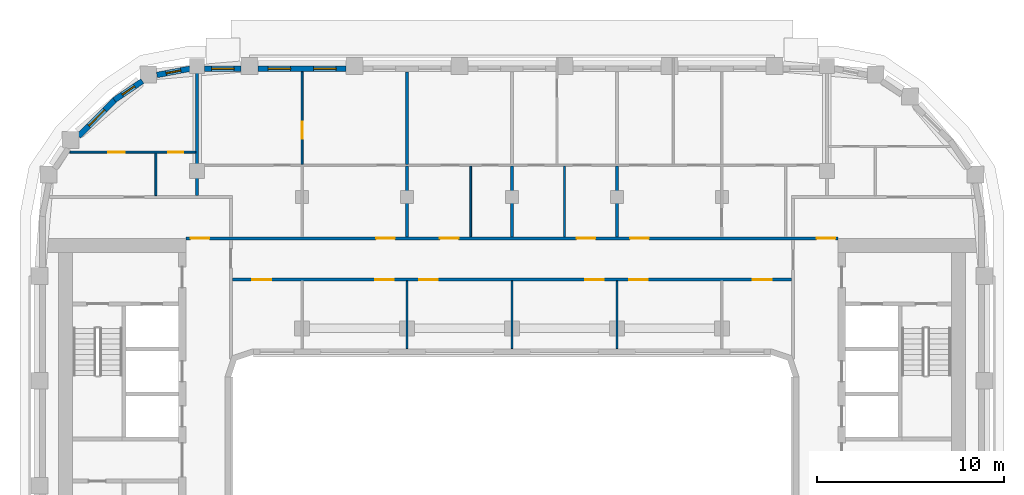
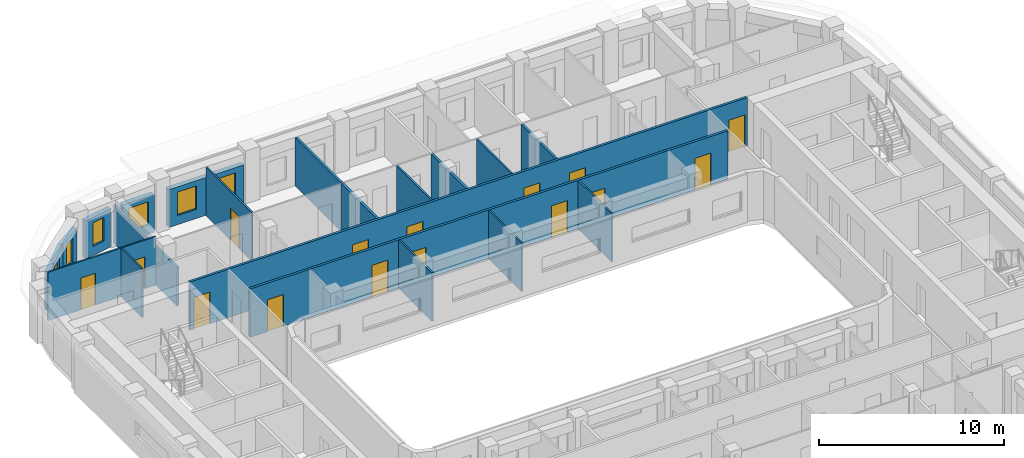
# One storey, part 7 of 21: 20 walls, 15 doors, 6 windows, 21 openings.
"""IFC4 building model written with IfcOpenShell, lengths in metres."""

from ifc_helpers import new_model, si_unit, direction, frame, frame_2d, origin, place, context, subcontext, project, spatial, rectangle, extrude, material, layer, layer_set, type_object, element, fill, save


model = new_model("IFC4")

# Units and contexts
model_context = context("Model", 3, precision=1e-05, world=origin(), true_north=direction((0.0, 1.0)))
body_context = subcontext(model_context, "Body", "Model", "MODEL_VIEW")
ifc_project = project(units=[si_unit("LENGTHUNIT", "METRE"), si_unit("AREAUNIT", "SQUARE_METRE"), si_unit("VOLUMEUNIT", "CUBIC_METRE"), si_unit("PLANEANGLEUNIT", "RADIAN"), si_unit("MASSUNIT", "GRAM", prefix="KILO")], contexts=[model_context])

# Site, building, storey
site_placement = place(None, origin())
site = spatial("IfcSite", under=ifc_project, at=site_placement, CompositionType="ELEMENT")
building_placement = place(site_placement, origin())
building = spatial("IfcBuilding", under=site, at=building_placement, Name="Kiln Ring Residences", CompositionType="ELEMENT")
storey_placement = place(building_placement, frame((0.0, 0.0, 195.89990234375)))
storey = spatial("IfcBuildingStorey", under=building, at=storey_placement, Name="L50", CompositionType="ELEMENT", Elevation=195.89990234375)

# Wall, openings, windows
ifc_material_1 = material(Name="Brick masonry, dark clay brick", Category="masonry")
ifc_layer_1 = layer(ifc_material_1, 0.300048828125)
ifc_layer_set_1 = layer_set([ifc_layer_1], Name="EW-300 BRICK WALL")
wall_type_1 = type_object("IfcWallType", Name="EW-300 BRICK WALL", PredefinedType="SOLIDWALL", material=ifc_layer_set_1)
wall_1_placement = place(storey_placement, frame((-8.85009765625, 22.25, 0.0), z_axis=(0.0, 0.0, 1.0), x_axis=(-1.0, 0.0, 0.0)))
wall_1 = element("IfcWall", 1, at=wall_1_placement, inside=storey, type_object=wall_type_1, Name="Facade wall L50 32", PredefinedType="SOLIDWALL", context=body_context, shape_type="SweptSolid", body=[
    extrude(rectangle(XDim=4.699951171875, YDim=0.300048828125, at=frame_2d((2.35009765625, 0.0))), origin(), (0.0, 0.0, 1.0), 2.5),
])
opening_1_placement = place(wall_1_placement, frame((0.53759765625, 0.0, 0.60009765625)))
opening_1 = element("IfcOpeningElement", 2, at=opening_1_placement, cuts=wall_1, Name="Opening W1", PredefinedType="OPENING", context=body_context, shape_type="SweptSolid", body=[
    extrude(rectangle(XDim=1.199951171875, YDim=1.550048828125, at=frame_2d((0.60009765625, 0.77490234375))), frame((0.0, 0.159912109375, 0.0), z_axis=(0.0, -1.0, 0.0), x_axis=(1.0, 0.0, 0.0)), (0.0, 0.0, 1.0), 0.320068359375),
])
opening_2_placement = place(wall_1_placement, frame((2.96240234375, 0.0, 0.60009765625)))
opening_2 = element("IfcOpeningElement", 3, at=opening_2_placement, cuts=wall_1, Name="Opening W1", PredefinedType="OPENING", context=body_context, shape_type="SweptSolid", body=[
    extrude(rectangle(XDim=1.199951171875, YDim=1.550048828125, at=frame_2d((0.60009765625, 0.77490234375))), frame((0.0, 0.159912109375, 0.0), z_axis=(0.0, -1.0, 0.0), x_axis=(1.0, 0.0, 0.0)), (0.0, 0.0, 1.0), 0.320068359375),
])
ifc_material_2 = material(Name="Aluminium frame with double glazing", Category="aluminium")
window_type_1 = type_object("IfcWindowType", Name="WINDOW 1200 x 1550", PartitioningType="SINGLE_PANEL", PredefinedType="WINDOW", material=ifc_material_2)
window_1_placement = place(opening_1_placement, origin())
window_1 = element("IfcWindow", 4, at=window_1_placement, inside=storey, type_object=window_type_1, Name="Window L50 29", OverallHeight=1.550048828125, OverallWidth=1.199951171875, PartitioningType="SINGLE_PANEL", PredefinedType="WINDOW", context=body_context, shape_type="SweptSolid", body=[
    extrude(rectangle(XDim=1.199951171875, YDim=1.550048828125, at=frame_2d((0.60009765625, 0.77490234375))), frame((0.0, 0.030029296875, 0.0), z_axis=(0.0, -1.0, 0.0), x_axis=(1.0, 0.0, 0.0)), (0.0, 0.0, 1.0), 0.06005859375),
])
fill(opening_1, window_1)
window_2_placement = place(opening_2_placement, origin())
window_2 = element("IfcWindow", 5, at=window_2_placement, inside=storey, type_object=window_type_1, Name="Window L50 30", OverallHeight=1.550048828125, OverallWidth=1.199951171875, PartitioningType="SINGLE_PANEL", PredefinedType="WINDOW", context=body_context, shape_type="SweptSolid", body=[
    extrude(rectangle(XDim=1.199951171875, YDim=1.550048828125, at=frame_2d((0.60009765625, 0.77490234375))), frame((0.0, 0.030029296875, 0.0), z_axis=(0.0, -1.0, 0.0), x_axis=(1.0, 0.0, 0.0)), (0.0, 0.0, 1.0), 0.06005859375),
])
fill(opening_2, window_2)

# Wall, opening, window
wall_2_placement = place(storey_placement, frame((-14.449951171875, 22.25, 0.0), z_axis=(0.0, 0.0, 1.0), x_axis=(-1.0, 0.0, 0.0)))
wall_2 = element("IfcWall", 6, at=wall_2_placement, inside=storey, type_object=wall_type_1, Name="Facade wall L50 33", PredefinedType="SOLIDWALL", context=body_context, shape_type="SweptSolid", body=[
    extrude(rectangle(XDim=1.949951171875, YDim=0.300048828125, at=frame_2d((0.97509765625, 0.0))), origin(), (0.0, 0.0, 1.0), 2.5),
])
opening_3_placement = place(wall_2_placement, frame((0.375, 0.0, 0.60009765625)))
opening_3 = element("IfcOpeningElement", 7, at=opening_3_placement, cuts=wall_2, Name="Opening W1", PredefinedType="OPENING", context=body_context, shape_type="SweptSolid", body=[
    extrude(rectangle(XDim=1.199951171875, YDim=1.550048828125, at=frame_2d((0.60009765625, 0.77490234375))), frame((0.0, 0.159912109375, 0.0), z_axis=(0.0, -1.0, 0.0), x_axis=(1.0, 0.0, 0.0)), (0.0, 0.0, 1.0), 0.320068359375),
])
window_3_placement = place(opening_3_placement, origin())
window_3 = element("IfcWindow", 8, at=window_3_placement, inside=storey, type_object=window_type_1, Name="Window L50 31", OverallHeight=1.550048828125, OverallWidth=1.199951171875, PartitioningType="SINGLE_PANEL", PredefinedType="WINDOW", context=body_context, shape_type="SweptSolid", body=[
    extrude(rectangle(XDim=1.199951171875, YDim=1.550048828125, at=frame_2d((0.60009765625, 0.77490234375))), frame((0.0, 0.030029296875, 0.0), z_axis=(0.0, -1.0, 0.0), x_axis=(1.0, 0.0, 0.0)), (0.0, 0.0, 1.0), 0.06005859375),
])
fill(opening_3, window_3)

wall_3_placement = place(storey_placement, frame((-17.178955078125, 22.251220703125, 0.0), z_axis=(0.0, 0.0, 1.0), x_axis=(-0.98230529033, -0.187286722942, 0.0)))
wall_3 = element("IfcWall", 9, at=wall_3_placement, inside=storey, type_object=wall_type_1, Name="Facade wall L50 34", PredefinedType="SOLIDWALL", context=body_context, shape_type="SweptSolid", body=[
    extrude(rectangle(XDim=1.798828125, YDim=0.300048828125, at=frame_2d((0.8994140625, 0.0))), origin(), (0.0, 0.0, 1.0), 2.5),
])
opening_4_placement = place(wall_3_placement, frame((0.49951171875, 0.0, 0.60009765625)))
opening_4 = element("IfcOpeningElement", 10, at=opening_4_placement, cuts=wall_3, Name="Opening W5", PredefinedType="OPENING", context=body_context, shape_type="SweptSolid", body=[
    extrude(rectangle(XDim=0.800048828125, YDim=1.550048828125, at=frame_2d((0.39990234375, 0.77490234375))), frame((0.0, 0.159912109375, 0.0), z_axis=(0.0, -1.0, 0.0), x_axis=(1.0, 0.0, 0.0)), (0.0, 0.0, 1.0), 0.320068359375),
])
ifc_material_3 = material(Name="Aluminium frame with double glazing", Category="aluminium")
window_type_2 = type_object("IfcWindowType", Name="WINDOW 800 x 1550", PartitioningType="SINGLE_PANEL", PredefinedType="WINDOW", material=ifc_material_3)
window_4_placement = place(opening_4_placement, origin())
window_4 = element("IfcWindow", 11, at=window_4_placement, inside=storey, type_object=window_type_2, Name="Window L50 32", OverallHeight=1.550048828125, OverallWidth=0.800048828125, PartitioningType="SINGLE_PANEL", PredefinedType="WINDOW", context=body_context, shape_type="SweptSolid", body=[
    extrude(rectangle(XDim=0.800048828125, YDim=1.550048828125, at=frame_2d((0.39990234375, 0.77490234375))), frame((0.0, 0.030029296875, 0.0), z_axis=(0.0, -1.0, 0.0), x_axis=(1.0, 0.0, 0.0)), (0.0, 0.0, 1.0), 0.06005859375),
])
fill(opening_4, window_4)

wall_4_placement = place(storey_placement, frame((-19.718994140625, 21.593994140625, 0.0), z_axis=(0.0, 0.0, 1.0), x_axis=(-0.827067282455, -0.562102935673, 0.0)))
wall_4 = element("IfcWall", 12, at=wall_4_placement, inside=storey, type_object=wall_type_1, Name="Facade wall L50 35", PredefinedType="SOLIDWALL", context=body_context, shape_type="SweptSolid", body=[
    extrude(rectangle(XDim=1.805908203125, YDim=0.300048828125, at=frame_2d((0.90283203125, 0.0))), origin(), (0.0, 0.0, 1.0), 2.5),
])
opening_5_placement = place(wall_4_placement, frame((0.5029296875, 0.0, 0.60009765625)))
opening_5 = element("IfcOpeningElement", 13, at=opening_5_placement, cuts=wall_4, Name="Opening W5", PredefinedType="OPENING", context=body_context, shape_type="SweptSolid", body=[
    extrude(rectangle(XDim=0.800048828125, YDim=1.550048828125, at=frame_2d((0.39990234375, 0.77490234375))), frame((0.0, 0.159912109375, 0.0), z_axis=(0.0, -1.0, 0.0), x_axis=(1.0, 0.0, 0.0)), (0.0, 0.0, 1.0), 0.320068359375),
])
window_5_placement = place(opening_5_placement, origin())
window_5 = element("IfcWindow", 14, at=window_5_placement, inside=storey, type_object=window_type_2, Name="Window L50 33", OverallHeight=1.550048828125, OverallWidth=0.800048828125, PartitioningType="SINGLE_PANEL", PredefinedType="WINDOW", context=body_context, shape_type="SweptSolid", body=[
    extrude(rectangle(XDim=0.800048828125, YDim=1.550048828125, at=frame_2d((0.39990234375, 0.77490234375))), frame((0.0, 0.030029296875, 0.0), z_axis=(0.0, -1.0, 0.0), x_axis=(1.0, 0.0, 0.0)), (0.0, 0.0, 1.0), 0.06005859375),
])
fill(opening_5, window_5)

wall_5_placement = place(storey_placement, frame((-21.19091796875, 20.596923828125, 0.0), z_axis=(0.0, 0.0, 1.0), x_axis=(-0.707106781187, -0.707106781187, 0.0)))
wall_5 = element("IfcWall", 15, at=wall_5_placement, inside=storey, type_object=wall_type_1, Name="Facade wall L50 36", PredefinedType="SOLIDWALL", context=body_context, shape_type="SweptSolid", body=[
    extrude(rectangle(XDim=2.75, YDim=0.300048828125, at=frame_2d((1.375, 0.0))), origin(), (0.0, 0.0, 1.0), 2.5),
])
opening_6_placement = place(wall_5_placement, frame((0.77490234375, 0.0, 0.60009765625)))
opening_6 = element("IfcOpeningElement", 16, at=opening_6_placement, cuts=wall_5, Name="Opening W1", PredefinedType="OPENING", context=body_context, shape_type="SweptSolid", body=[
    extrude(rectangle(XDim=1.199951171875, YDim=1.550048828125, at=frame_2d((0.60009765625, 0.77490234375))), frame((0.0, 0.159912109375, 0.0), z_axis=(0.0, -1.0, 0.0), x_axis=(1.0, 0.0, 0.0)), (0.0, 0.0, 1.0), 0.320068359375),
])
window_6_placement = place(opening_6_placement, origin())
window_6 = element("IfcWindow", 17, at=window_6_placement, inside=storey, type_object=window_type_1, Name="Window L50 34", OverallHeight=1.550048828125, OverallWidth=1.199951171875, PartitioningType="SINGLE_PANEL", PredefinedType="WINDOW", context=body_context, shape_type="SweptSolid", body=[
    extrude(rectangle(XDim=1.199951171875, YDim=1.550048828125, at=frame_2d((0.60009765625, 0.77490234375))), frame((0.0, 0.030029296875, 0.0), z_axis=(0.0, -1.0, 0.0), x_axis=(1.0, 0.0, 0.0)), (0.0, 0.0, 1.0), 0.06005859375),
])
fill(opening_6, window_6)

# Wall, openings, doors
ifc_material_4 = material(Name="Gypsum board on steel studs", Category="steel")
ifc_layer_2 = layer(ifc_material_4, 0.10009765625)
ifc_layer_set_2 = layer_set([ifc_layer_2], Name="PARTITION-100")
wall_type_2 = type_object("IfcWallType", Name="PARTITION-100", PredefinedType="PARTITIONING", material=ifc_layer_set_2)
wall_6_placement = place(storey_placement, frame((-23.593994140625, 17.800048828125, 0.0), z_axis=(0.0, 0.0, 1.0), x_axis=(1.0, 0.0, 0.0)))
wall_6 = element("IfcWall", 18, at=wall_6_placement, inside=storey, type_object=wall_type_2, Name="Partition 012", PredefinedType="PARTITIONING", context=body_context, shape_type="SweptSolid", body=[
    extrude(rectangle(XDim=6.718994140625, YDim=0.10009765625, at=frame_2d((3.359375, 0.0))), origin(), (0.0, 0.0, 1.0), 3.2001953125),
])
opening_7_placement = place(wall_6_placement, frame((5.243896484375, 0.0, 0.0)))
opening_7 = element("IfcOpeningElement", 19, at=opening_7_placement, cuts=wall_6, Name="Opening L50-D036", PredefinedType="OPENING", context=body_context, shape_type="SweptSolid", body=[
    extrude(rectangle(XDim=0.800048828125, YDim=2.10009765625, at=frame_2d((0.39990234375, 1.050048828125))), frame((0.0, 0.06005859375, 0.0), z_axis=(0.0, -1.0, 0.0), x_axis=(1.0, 0.0, 0.0)), (0.0, 0.0, 1.0), 0.1201171875),
])
opening_8_placement = place(wall_6_placement, frame((2.0439453125, 0.0, 0.0)))
opening_8 = element("IfcOpeningElement", 20, at=opening_8_placement, cuts=wall_6, Name="Opening L50-D037", PredefinedType="OPENING", context=body_context, shape_type="SweptSolid", body=[
    extrude(rectangle(XDim=0.89990234375, YDim=2.10009765625, at=frame_2d((0.449951171875, 1.050048828125))), frame((0.0, 0.06005859375, 0.0), z_axis=(0.0, -1.0, 0.0), x_axis=(1.0, 0.0, 0.0)), (0.0, 0.0, 1.0), 0.1201171875),
])
ifc_material_5 = material(Name="Timber door leaf", Category="wood")
door_type_1 = type_object("IfcDoorType", Name="FLAT-DOOR-800-PL", OperationType="SINGLE_SWING_LEFT", PredefinedType="DOOR", material=ifc_material_5)
door_1_placement = place(opening_7_placement, origin())
door_1 = element("IfcDoor", 21, at=door_1_placement, inside=storey, type_object=door_type_1, Name="Door L50-D036", OperationType="SINGLE_SWING_RIGHT", OverallHeight=2.10009765625, OverallWidth=0.800048828125, PredefinedType="DOOR", context=body_context, shape_type="SweptSolid", body=[
    extrude(rectangle(XDim=0.800048828125, YDim=2.10009765625, at=frame_2d((0.39990234375, 1.050048828125))), frame((0.0, 0.02490234375, 0.0), z_axis=(0.0, -1.0, 0.0), x_axis=(1.0, 0.0, 0.0)), (0.0, 0.0, 1.0), 0.050048828125),
])
fill(opening_7, door_1)
ifc_material_6 = material(Name="Timber door leaf", Category="wood")
door_type_2 = type_object("IfcDoorType", Name="FLAT-DOOR-900-PL", OperationType="SINGLE_SWING_LEFT", PredefinedType="DOOR", material=ifc_material_6)
door_2_placement = place(opening_8_placement, origin())
door_2 = element("IfcDoor", 22, at=door_2_placement, inside=storey, type_object=door_type_2, Name="Door L50-D037", OperationType="SINGLE_SWING_LEFT", OverallHeight=2.10009765625, OverallWidth=0.89990234375, PredefinedType="DOOR", context=body_context, shape_type="SweptSolid", body=[
    extrude(rectangle(XDim=0.89990234375, YDim=2.10009765625, at=frame_2d((0.449951171875, 1.050048828125))), frame((0.0, 0.02490234375, 0.0), z_axis=(0.0, -1.0, 0.0), x_axis=(1.0, 0.0, 0.0)), (0.0, 0.0, 1.0), 0.050048828125),
])
fill(opening_8, door_2)

# Wall
wall_7_placement = place(storey_placement, frame((-19.0, 15.47509765625, 0.0), z_axis=(0.0, 0.0, 1.0), x_axis=(0.0, 1.0, 0.0)))
element("IfcWall", 23, at=wall_7_placement, inside=storey, type_object=wall_type_2, Name="Partition 015", PredefinedType="PARTITIONING", context=body_context, shape_type="SweptSolid", body=[
    extrude(rectangle(XDim=2.27490234375, YDim=0.10009765625, at=frame_2d((1.137451171875, 0.0))), origin(), (0.0, 0.0, 1.0), 3.2001953125),
])

# Wall, opening, door
wall_8_placement = place(storey_placement, frame((-11.199951171875, 17.14990234375, 0.0), z_axis=(0.0, 0.0, 1.0), x_axis=(0.0, 1.0, 0.0)))
wall_8 = element("IfcWall", 24, at=wall_8_placement, inside=storey, type_object=wall_type_2, Name="Partition 027", PredefinedType="PARTITIONING", context=body_context, shape_type="SweptSolid", body=[
    extrude(rectangle(XDim=4.93017578125, YDim=0.10009765625, at=frame_2d((2.465087890625, 0.0))), origin(), (0.0, 0.0, 1.0), 3.2001953125),
])
opening_9_placement = place(wall_8_placement, frame((1.360107421875, 0.0, 0.0)))
opening_9 = element("IfcOpeningElement", 25, at=opening_9_placement, cuts=wall_8, Name="Opening L50-D018", PredefinedType="OPENING", context=body_context, shape_type="SweptSolid", body=[
    extrude(rectangle(XDim=0.89990234375, YDim=2.10009765625, at=frame_2d((0.449951171875, 1.050048828125))), frame((0.0, 0.06005859375, 0.0), z_axis=(0.0, -1.0, 0.0), x_axis=(1.0, 0.0, 0.0)), (0.0, 0.0, 1.0), 0.1201171875),
])
door_3_placement = place(opening_9_placement, origin())
door_3 = element("IfcDoor", 26, at=door_3_placement, inside=storey, type_object=door_type_2, Name="Door L50-D018", OperationType="SINGLE_SWING_RIGHT", OverallHeight=2.10009765625, OverallWidth=0.89990234375, PredefinedType="DOOR", context=body_context, shape_type="SweptSolid", body=[
    extrude(rectangle(XDim=0.89990234375, YDim=2.10009765625, at=frame_2d((0.449951171875, 1.050048828125))), frame((0.0, 0.02490234375, 0.0), z_axis=(0.0, -1.0, 0.0), x_axis=(1.0, 0.0, 0.0)), (0.0, 0.0, 1.0), 0.050048828125),
])
fill(opening_9, door_3)

# Walls
wall_9_placement = place(storey_placement, frame((-5.60009765625, 7.320068359375, 0.0), z_axis=(0.0, 0.0, 1.0), x_axis=(0.0, 1.0, 0.0)))
element("IfcWall", 27, at=wall_9_placement, inside=storey, type_object=wall_type_2, Name="Partition 033", PredefinedType="PARTITIONING", context=body_context, shape_type="SweptSolid", body=[
    extrude(rectangle(XDim=3.60498046875, YDim=0.10009765625, at=frame_2d((1.802490234375, 0.0))), origin(), (0.0, 0.0, 1.0), 3.2001953125),
])
wall_10_placement = place(storey_placement, frame((-2.199951171875, 13.27490234375, 0.0), z_axis=(0.0, 0.0, 1.0), x_axis=(0.0, 1.0, 0.0)))
element("IfcWall", 28, at=wall_10_placement, inside=storey, type_object=wall_type_2, Name="Partition 037", PredefinedType="PARTITIONING", context=body_context, shape_type="SweptSolid", body=[
    extrude(rectangle(XDim=3.775146484375, YDim=0.10009765625, at=frame_2d((1.8876953125, 0.0))), origin(), (0.0, 0.0, 1.0), 3.2001953125),
])
wall_11_placement = place(storey_placement, frame((0.0, 7.320068359375, 0.0), z_axis=(0.0, 0.0, 1.0), x_axis=(0.0, 1.0, 0.0)))
element("IfcWall", 29, at=wall_11_placement, inside=storey, type_object=wall_type_2, Name="Partition 039", PredefinedType="PARTITIONING", context=body_context, shape_type="SweptSolid", body=[
    extrude(rectangle(XDim=3.60498046875, YDim=0.10009765625, at=frame_2d((1.802490234375, 0.0))), origin(), (0.0, 0.0, 1.0), 3.2001953125),
])
wall_12_placement = place(storey_placement, frame((2.800048828125, 13.27490234375, 0.0), z_axis=(0.0, 0.0, 1.0), x_axis=(0.0, 1.0, 0.0)))
element("IfcWall", 30, at=wall_12_placement, inside=storey, type_object=wall_type_2, Name="Partition 045", PredefinedType="PARTITIONING", context=body_context, shape_type="SweptSolid", body=[
    extrude(rectangle(XDim=3.775146484375, YDim=0.10009765625, at=frame_2d((1.8876953125, 0.0))), origin(), (0.0, 0.0, 1.0), 3.2001953125),
])
wall_13_placement = place(storey_placement, frame((5.60009765625, 7.320068359375, 0.0), z_axis=(0.0, 0.0, 1.0), x_axis=(0.0, 1.0, 0.0)))
element("IfcWall", 31, at=wall_13_placement, inside=storey, type_object=wall_type_2, Name="Partition 049", PredefinedType="PARTITIONING", context=body_context, shape_type="SweptSolid", body=[
    extrude(rectangle(XDim=3.60498046875, YDim=0.10009765625, at=frame_2d((1.802490234375, 0.0))), origin(), (0.0, 0.0, 1.0), 3.2001953125),
])

# Wall, openings, doors
ifc_material_7 = material(Name="Brick masonry partition", Category="masonry")
ifc_layer_3 = layer(ifc_material_7, 0.14990234375)
ifc_layer_set_3 = layer_set([ifc_layer_3], Name="PARTITION-150-ei60")
wall_type_3 = type_object("IfcWallType", Name="PARTITION-150-ei60", PredefinedType="PARTITIONING", material=ifc_layer_set_3)
wall_14_placement = place(storey_placement, frame((-14.925048828125, 11.0, 0.0), z_axis=(0.0, 0.0, 1.0), x_axis=(1.0, 0.0, 0.0)))
wall_14 = element("IfcWall", 32, at=wall_14_placement, inside=storey, type_object=wall_type_3, Name="Partition 007", PredefinedType="PARTITIONING", context=body_context, shape_type="SweptSolid", body=[
    extrude(rectangle(XDim=29.85009765625, YDim=0.14990234375, at=frame_2d((14.925048828125, 0.0))), origin(), (0.0, 0.0, 1.0), 3.2001953125),
])
opening_10_placement = place(wall_14_placement, frame((1.075927734375, 0.0, 0.0)))
opening_10 = element("IfcOpeningElement", 33, at=opening_10_placement, cuts=wall_14, Name="Opening L50-D009", PredefinedType="OPENING", context=body_context, shape_type="SweptSolid", body=[
    extrude(rectangle(XDim=1.0, YDim=2.10009765625, at=frame_2d((0.5, 1.050048828125))), frame((0.0, 0.0849609375, 0.0), z_axis=(0.0, -1.0, 0.0), x_axis=(1.0, 0.0, 0.0)), (0.0, 0.0, 1.0), 0.169921875),
])
opening_11_placement = place(wall_14_placement, frame((7.625, 0.0, 0.0)))
opening_11 = element("IfcOpeningElement", 34, at=opening_11_placement, cuts=wall_14, Name="Opening L50-D010", PredefinedType="OPENING", context=body_context, shape_type="SweptSolid", body=[
    extrude(rectangle(XDim=1.0, YDim=2.10009765625, at=frame_2d((0.5, 1.050048828125))), frame((0.0, 0.0849609375, 0.0), z_axis=(0.0, -1.0, 0.0), x_axis=(1.0, 0.0, 0.0)), (0.0, 0.0, 1.0), 0.169921875),
])
opening_12_placement = place(wall_14_placement, frame((9.97509765625, 0.0, 0.0)))
opening_12 = element("IfcOpeningElement", 35, at=opening_12_placement, cuts=wall_14, Name="Opening L50-D011", PredefinedType="OPENING", context=body_context, shape_type="SweptSolid", body=[
    extrude(rectangle(XDim=1.0, YDim=2.10009765625, at=frame_2d((0.5, 1.050048828125))), frame((0.0, 0.0849609375, 0.0), z_axis=(0.0, -1.0, 0.0), x_axis=(1.0, 0.0, 0.0)), (0.0, 0.0, 1.0), 0.169921875),
])
opening_13_placement = place(wall_14_placement, frame((18.824951171875, 0.0, 0.0)))
opening_13 = element("IfcOpeningElement", 36, at=opening_13_placement, cuts=wall_14, Name="Opening L50-D012", PredefinedType="OPENING", context=body_context, shape_type="SweptSolid", body=[
    extrude(rectangle(XDim=1.0, YDim=2.10009765625, at=frame_2d((0.5, 1.050048828125))), frame((0.0, 0.0849609375, 0.0), z_axis=(0.0, -1.0, 0.0), x_axis=(1.0, 0.0, 0.0)), (0.0, 0.0, 1.0), 0.169921875),
])
opening_14_placement = place(wall_14_placement, frame((21.175048828125, 0.0, 0.0)))
opening_14 = element("IfcOpeningElement", 37, at=opening_14_placement, cuts=wall_14, Name="Opening L50-D013", PredefinedType="OPENING", context=body_context, shape_type="SweptSolid", body=[
    extrude(rectangle(XDim=1.0, YDim=2.10009765625, at=frame_2d((0.5, 1.050048828125))), frame((0.0, 0.0849609375, 0.0), z_axis=(0.0, -1.0, 0.0), x_axis=(1.0, 0.0, 0.0)), (0.0, 0.0, 1.0), 0.169921875),
])
opening_15_placement = place(wall_14_placement, frame((27.77490234375, 0.0, 0.0)))
opening_15 = element("IfcOpeningElement", 38, at=opening_15_placement, cuts=wall_14, Name="Opening L50-D014", PredefinedType="OPENING", context=body_context, shape_type="SweptSolid", body=[
    extrude(rectangle(XDim=1.0, YDim=2.10009765625, at=frame_2d((0.5, 1.050048828125))), frame((0.0, 0.0849609375, 0.0), z_axis=(0.0, -1.0, 0.0), x_axis=(1.0, 0.0, 0.0)), (0.0, 0.0, 1.0), 0.169921875),
])
ifc_material_8 = material(Name="Steel faced fire door leaf", Category="steel")
door_type_3 = type_object("IfcDoorType", Name="FLAT-DOOR-1000-FR", OperationType="SINGLE_SWING_LEFT", PredefinedType="DOOR", material=ifc_material_8)
door_4_placement = place(opening_10_placement, origin())
door_4 = element("IfcDoor", 39, at=door_4_placement, inside=storey, type_object=door_type_3, Name="Door L50-D009", OperationType="SINGLE_SWING_LEFT", OverallHeight=2.10009765625, OverallWidth=1.0, PredefinedType="DOOR", context=body_context, shape_type="SweptSolid", body=[
    extrude(rectangle(XDim=1.0, YDim=2.10009765625, at=frame_2d((0.5, 1.050048828125))), frame((0.0, 0.02490234375, 0.0), z_axis=(0.0, -1.0, 0.0), x_axis=(1.0, 0.0, 0.0)), (0.0, 0.0, 1.0), 0.050048828125),
])
fill(opening_10, door_4)
door_5_placement = place(opening_11_placement, origin())
door_5 = element("IfcDoor", 40, at=door_5_placement, inside=storey, type_object=door_type_3, Name="Door L50-D010", OperationType="SINGLE_SWING_RIGHT", OverallHeight=2.10009765625, OverallWidth=1.0, PredefinedType="DOOR", context=body_context, shape_type="SweptSolid", body=[
    extrude(rectangle(XDim=1.0, YDim=2.10009765625, at=frame_2d((0.5, 1.050048828125))), frame((0.0, 0.02490234375, 0.0), z_axis=(0.0, -1.0, 0.0), x_axis=(1.0, 0.0, 0.0)), (0.0, 0.0, 1.0), 0.050048828125),
])
fill(opening_11, door_5)
door_6_placement = place(opening_12_placement, origin())
door_6 = element("IfcDoor", 41, at=door_6_placement, inside=storey, type_object=door_type_3, Name="Door L50-D011", OperationType="SINGLE_SWING_LEFT", OverallHeight=2.10009765625, OverallWidth=1.0, PredefinedType="DOOR", context=body_context, shape_type="SweptSolid", body=[
    extrude(rectangle(XDim=1.0, YDim=2.10009765625, at=frame_2d((0.5, 1.050048828125))), frame((0.0, 0.02490234375, 0.0), z_axis=(0.0, -1.0, 0.0), x_axis=(1.0, 0.0, 0.0)), (0.0, 0.0, 1.0), 0.050048828125),
])
fill(opening_12, door_6)
door_7_placement = place(opening_13_placement, origin())
door_7 = element("IfcDoor", 42, at=door_7_placement, inside=storey, type_object=door_type_3, Name="Door L50-D012", OperationType="SINGLE_SWING_RIGHT", OverallHeight=2.10009765625, OverallWidth=1.0, PredefinedType="DOOR", context=body_context, shape_type="SweptSolid", body=[
    extrude(rectangle(XDim=1.0, YDim=2.10009765625, at=frame_2d((0.5, 1.050048828125))), frame((0.0, 0.02490234375, 0.0), z_axis=(0.0, -1.0, 0.0), x_axis=(1.0, 0.0, 0.0)), (0.0, 0.0, 1.0), 0.050048828125),
])
fill(opening_13, door_7)
door_8_placement = place(opening_14_placement, origin())
door_8 = element("IfcDoor", 43, at=door_8_placement, inside=storey, type_object=door_type_3, Name="Door L50-D013", OperationType="SINGLE_SWING_LEFT", OverallHeight=2.10009765625, OverallWidth=1.0, PredefinedType="DOOR", context=body_context, shape_type="SweptSolid", body=[
    extrude(rectangle(XDim=1.0, YDim=2.10009765625, at=frame_2d((0.5, 1.050048828125))), frame((0.0, 0.02490234375, 0.0), z_axis=(0.0, -1.0, 0.0), x_axis=(1.0, 0.0, 0.0)), (0.0, 0.0, 1.0), 0.050048828125),
])
fill(opening_14, door_8)
door_9_placement = place(opening_15_placement, origin())
door_9 = element("IfcDoor", 44, at=door_9_placement, inside=storey, type_object=door_type_3, Name="Door L50-D014", OperationType="SINGLE_SWING_RIGHT", OverallHeight=2.10009765625, OverallWidth=1.0, PredefinedType="DOOR", context=body_context, shape_type="SweptSolid", body=[
    extrude(rectangle(XDim=1.0, YDim=2.10009765625, at=frame_2d((0.5, 1.050048828125))), frame((0.0, 0.02490234375, 0.0), z_axis=(0.0, -1.0, 0.0), x_axis=(1.0, 0.0, 0.0)), (0.0, 0.0, 1.0), 0.050048828125),
])
fill(opening_15, door_9)

wall_15_placement = place(storey_placement, frame((-17.39990234375, 13.199951171875, 0.0), z_axis=(0.0, 0.0, 1.0), x_axis=(1.0, 0.0, 0.0)))
wall_15 = element("IfcWall", 45, at=wall_15_placement, inside=storey, type_object=wall_type_3, Name="Partition 008", PredefinedType="PARTITIONING", context=body_context, shape_type="SweptSolid", body=[
    extrude(rectangle(XDim=34.7998046875, YDim=0.14990234375, at=frame_2d((17.39990234375, 0.0))), origin(), (0.0, 0.0, 1.0), 3.2001953125),
])
opening_16_placement = place(wall_15_placement, frame((0.25, 0.0, 0.0)))
opening_16 = element("IfcOpeningElement", 46, at=opening_16_placement, cuts=wall_15, Name="Opening L50-D003", PredefinedType="OPENING", context=body_context, shape_type="SweptSolid", body=[
    extrude(rectangle(XDim=1.0, YDim=2.10009765625, at=frame_2d((0.5, 1.050048828125))), frame((0.0, 0.0849609375, 0.0), z_axis=(0.0, -1.0, 0.0), x_axis=(1.0, 0.0, 0.0)), (0.0, 0.0, 1.0), 0.169921875),
])
opening_17_placement = place(wall_15_placement, frame((33.64990234375, 0.0, 0.0)))
opening_17 = element("IfcOpeningElement", 47, at=opening_17_placement, cuts=wall_15, Name="Opening L50-D004", PredefinedType="OPENING", context=body_context, shape_type="SweptSolid", body=[
    extrude(rectangle(XDim=1.0, YDim=2.10009765625, at=frame_2d((0.5, 1.050048828125))), frame((0.0, 0.0849609375, 0.0), z_axis=(0.0, -1.0, 0.0), x_axis=(1.0, 0.0, 0.0)), (0.0, 0.0, 1.0), 0.169921875),
])
opening_18_placement = place(wall_15_placement, frame((10.14990234375, 0.0, 0.0)))
opening_18 = element("IfcOpeningElement", 48, at=opening_18_placement, cuts=wall_15, Name="Opening L50-D015", PredefinedType="OPENING", context=body_context, shape_type="SweptSolid", body=[
    extrude(rectangle(XDim=1.0, YDim=2.10009765625, at=frame_2d((0.5, 1.050048828125))), frame((0.0, 0.0849609375, 0.0), z_axis=(0.0, -1.0, 0.0), x_axis=(1.0, 0.0, 0.0)), (0.0, 0.0, 1.0), 0.169921875),
])
opening_19_placement = place(wall_15_placement, frame((13.550048828125, 0.0, 0.0)))
opening_19 = element("IfcOpeningElement", 49, at=opening_19_placement, cuts=wall_15, Name="Opening L50-D019", PredefinedType="OPENING", context=body_context, shape_type="SweptSolid", body=[
    extrude(rectangle(XDim=1.0, YDim=2.10009765625, at=frame_2d((0.5, 1.050048828125))), frame((0.0, 0.0849609375, 0.0), z_axis=(0.0, -1.0, 0.0), x_axis=(1.0, 0.0, 0.0)), (0.0, 0.0, 1.0), 0.169921875),
])
opening_20_placement = place(wall_15_placement, frame((20.85009765625, 0.0, 0.0)))
opening_20 = element("IfcOpeningElement", 50, at=opening_20_placement, cuts=wall_15, Name="Opening L50-D022", PredefinedType="OPENING", context=body_context, shape_type="SweptSolid", body=[
    extrude(rectangle(XDim=1.0, YDim=2.10009765625, at=frame_2d((0.5, 1.050048828125))), frame((0.0, 0.0849609375, 0.0), z_axis=(0.0, -1.0, 0.0), x_axis=(1.0, 0.0, 0.0)), (0.0, 0.0, 1.0), 0.169921875),
])
opening_21_placement = place(wall_15_placement, frame((23.699951171875, 0.0, 0.0)))
opening_21 = element("IfcOpeningElement", 51, at=opening_21_placement, cuts=wall_15, Name="Opening L50-D026", PredefinedType="OPENING", context=body_context, shape_type="SweptSolid", body=[
    extrude(rectangle(XDim=1.0, YDim=2.10009765625, at=frame_2d((0.5, 1.050048828125))), frame((0.0, 0.0849609375, 0.0), z_axis=(0.0, -1.0, 0.0), x_axis=(1.0, 0.0, 0.0)), (0.0, 0.0, 1.0), 0.169921875),
])
door_10_placement = place(opening_16_placement, origin())
door_10 = element("IfcDoor", 52, at=door_10_placement, inside=storey, type_object=door_type_3, Name="Door L50-D003", OperationType="SINGLE_SWING_LEFT", OverallHeight=2.10009765625, OverallWidth=1.0, PredefinedType="DOOR", context=body_context, shape_type="SweptSolid", body=[
    extrude(rectangle(XDim=1.0, YDim=2.10009765625, at=frame_2d((0.5, 1.050048828125))), frame((0.0, 0.02490234375, 0.0), z_axis=(0.0, -1.0, 0.0), x_axis=(1.0, 0.0, 0.0)), (0.0, 0.0, 1.0), 0.050048828125),
])
fill(opening_16, door_10)
door_11_placement = place(opening_17_placement, origin())
door_11 = element("IfcDoor", 53, at=door_11_placement, inside=storey, type_object=door_type_3, Name="Door L50-D004", OperationType="SINGLE_SWING_RIGHT", OverallHeight=2.10009765625, OverallWidth=1.0, PredefinedType="DOOR", context=body_context, shape_type="SweptSolid", body=[
    extrude(rectangle(XDim=1.0, YDim=2.10009765625, at=frame_2d((0.5, 1.050048828125))), frame((0.0, 0.02490234375, 0.0), z_axis=(0.0, -1.0, 0.0), x_axis=(1.0, 0.0, 0.0)), (0.0, 0.0, 1.0), 0.050048828125),
])
fill(opening_17, door_11)
door_12_placement = place(opening_18_placement, origin())
door_12 = element("IfcDoor", 54, at=door_12_placement, inside=storey, type_object=door_type_3, Name="Door L50-D015", OperationType="SINGLE_SWING_LEFT", OverallHeight=2.10009765625, OverallWidth=1.0, PredefinedType="DOOR", context=body_context, shape_type="SweptSolid", body=[
    extrude(rectangle(XDim=1.0, YDim=2.10009765625, at=frame_2d((0.5, 1.050048828125))), frame((0.0, 0.02490234375, 0.0), z_axis=(0.0, -1.0, 0.0), x_axis=(1.0, 0.0, 0.0)), (0.0, 0.0, 1.0), 0.050048828125),
])
fill(opening_18, door_12)
door_13_placement = place(opening_19_placement, origin())
door_13 = element("IfcDoor", 55, at=door_13_placement, inside=storey, type_object=door_type_3, Name="Door L50-D019", OperationType="SINGLE_SWING_LEFT", OverallHeight=2.10009765625, OverallWidth=1.0, PredefinedType="DOOR", context=body_context, shape_type="SweptSolid", body=[
    extrude(rectangle(XDim=1.0, YDim=2.10009765625, at=frame_2d((0.5, 1.050048828125))), frame((0.0, 0.02490234375, 0.0), z_axis=(0.0, -1.0, 0.0), x_axis=(1.0, 0.0, 0.0)), (0.0, 0.0, 1.0), 0.050048828125),
])
fill(opening_19, door_13)
door_14_placement = place(opening_20_placement, origin())
door_14 = element("IfcDoor", 56, at=door_14_placement, inside=storey, type_object=door_type_3, Name="Door L50-D022", OperationType="SINGLE_SWING_RIGHT", OverallHeight=2.10009765625, OverallWidth=1.0, PredefinedType="DOOR", context=body_context, shape_type="SweptSolid", body=[
    extrude(rectangle(XDim=1.0, YDim=2.10009765625, at=frame_2d((0.5, 1.050048828125))), frame((0.0, 0.02490234375, 0.0), z_axis=(0.0, -1.0, 0.0), x_axis=(1.0, 0.0, 0.0)), (0.0, 0.0, 1.0), 0.050048828125),
])
fill(opening_20, door_14)
door_15_placement = place(opening_21_placement, origin())
door_15 = element("IfcDoor", 57, at=door_15_placement, inside=storey, type_object=door_type_3, Name="Door L50-D026", OperationType="SINGLE_SWING_RIGHT", OverallHeight=2.10009765625, OverallWidth=1.0, PredefinedType="DOOR", context=body_context, shape_type="SweptSolid", body=[
    extrude(rectangle(XDim=1.0, YDim=2.10009765625, at=frame_2d((0.5, 1.050048828125))), frame((0.0, 0.02490234375, 0.0), z_axis=(0.0, -1.0, 0.0), x_axis=(1.0, 0.0, 0.0)), (0.0, 0.0, 1.0), 0.050048828125),
])
fill(opening_21, door_15)

# Walls
wall_16_placement = place(storey_placement, frame((-16.800048828125, 15.47509765625, 0.0), z_axis=(0.0, 0.0, 1.0), x_axis=(0.0, 1.0, 0.0)))
element("IfcWall", 58, at=wall_16_placement, inside=storey, type_object=wall_type_3, Name="Partition 018", PredefinedType="PARTITIONING", context=body_context, shape_type="SweptSolid", body=[
    extrude(rectangle(XDim=6.8349609375, YDim=0.14990234375, at=frame_2d((3.41748046875, 0.0))), origin(), (0.0, 0.0, 1.0), 2.550048828125),
])
wall_17_placement = place(storey_placement, frame((-5.60009765625, 13.27490234375, 0.0), z_axis=(0.0, 0.0, 1.0), x_axis=(0.0, 1.0, 0.0)))
element("IfcWall", 59, at=wall_17_placement, inside=storey, type_object=wall_type_3, Name="Partition 035", PredefinedType="PARTITIONING", context=body_context, shape_type="SweptSolid", body=[
    extrude(rectangle(XDim=3.775146484375, YDim=0.14990234375, at=frame_2d((1.8876953125, 0.0))), origin(), (0.0, 0.0, 1.0), 3.2001953125),
])
wall_18_placement = place(storey_placement, frame((-5.60009765625, 17.14990234375, 0.0), z_axis=(0.0, 0.0, 1.0), x_axis=(0.0, 1.0, 0.0)))
element("IfcWall", 60, at=wall_18_placement, inside=storey, type_object=wall_type_3, Name="Partition 036", PredefinedType="PARTITIONING", context=body_context, shape_type="SweptSolid", body=[
    extrude(rectangle(XDim=4.93017578125, YDim=0.14990234375, at=frame_2d((2.465087890625, 0.0))), origin(), (0.0, 0.0, 1.0), 3.2001953125),
])
for number, where, z_axis, x_axis, name in (
    (61, (0.0, 13.27490234375, 0.0), (0.0, 0.0, 1.0), (0.0, 1.0, 0.0), "Partition 042"),
    (62, (5.60009765625, 13.27490234375, 0.0), (0.0, 0.0, 1.0), (0.0, 1.0, 0.0), "Partition 051"),
):
    element("IfcWall", number, at=place(storey_placement, frame(where, z_axis=z_axis, x_axis=x_axis)), inside=storey, type_object=wall_type_3, Name=name, PredefinedType="PARTITIONING", context=body_context, shape_type="SweptSolid", body=[
        extrude(rectangle(XDim=3.775146484375, YDim=0.14990234375, at=frame_2d((1.8876953125, 0.0))), origin(), (0.0, 0.0, 1.0), 3.2001953125),
    ])

save(model, "model.ifc")
